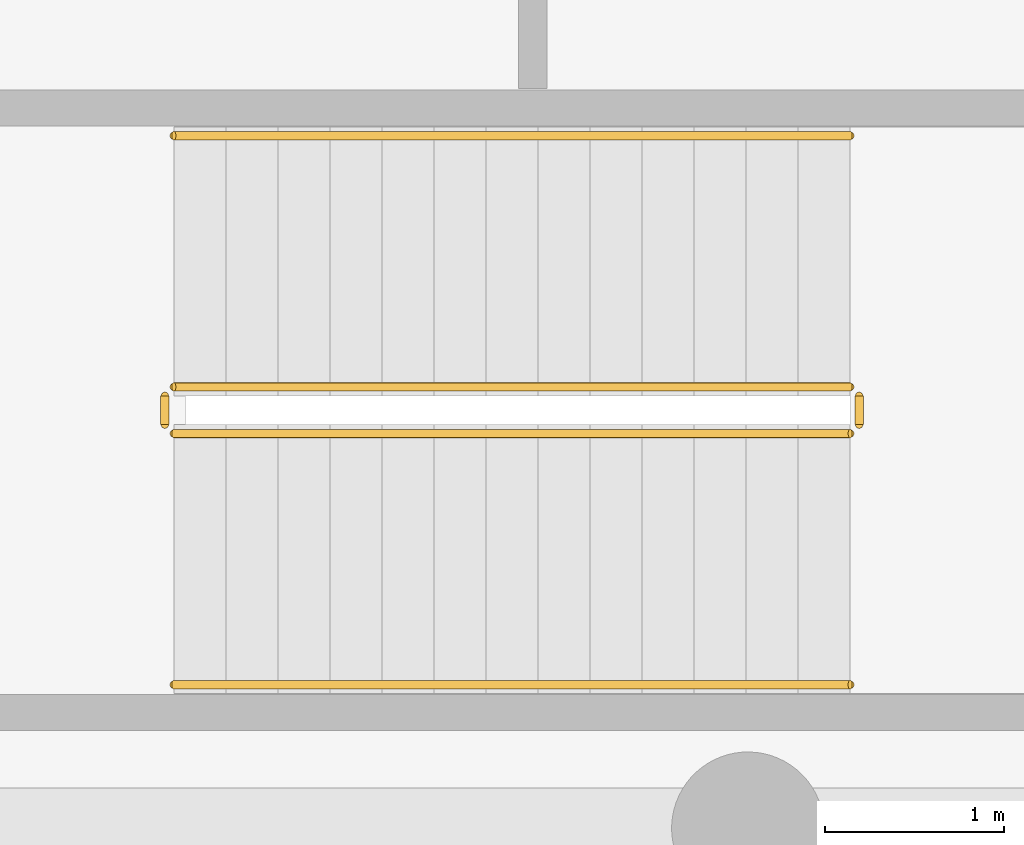
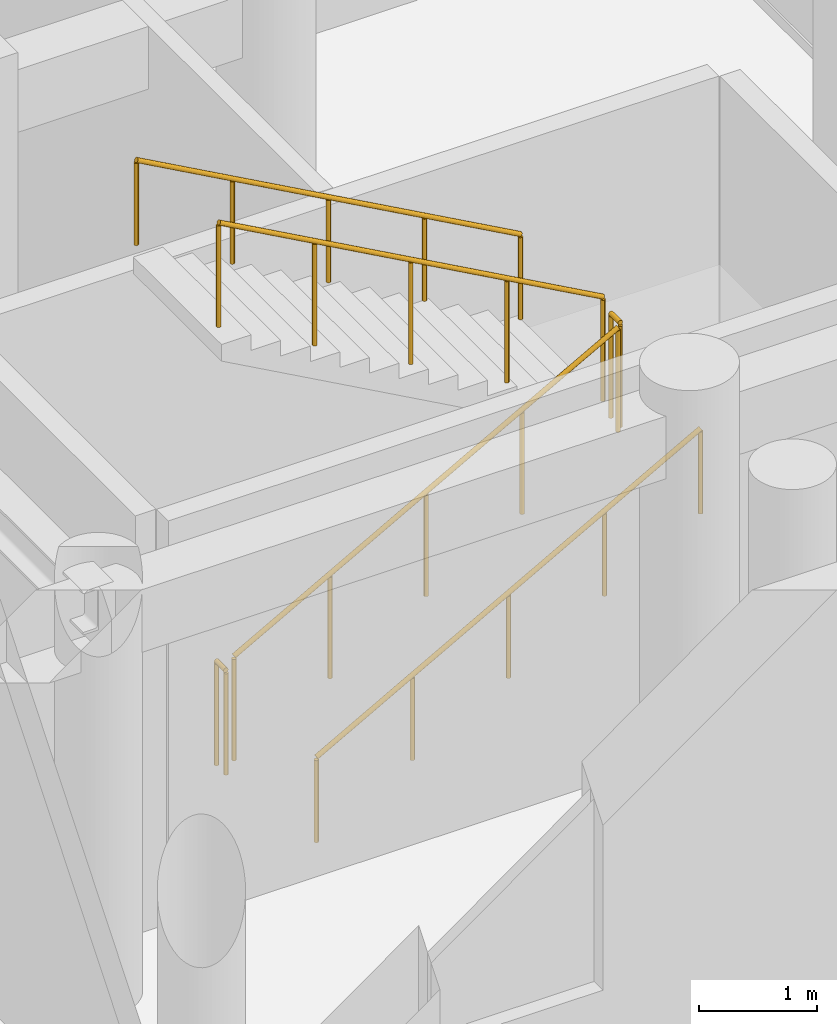
# One storey, part 28 of 30: 6 railings.
"""IFC4 building model written with IfcOpenShell, lengths in metres."""

from ifc_helpers import new_model, si_unit, direction, frame, origin, origin_2d, place, context, subcontext, project, spatial, circle, extrude, material, layer, layer_set, type_object, element, save


model = new_model("IFC4")

# Units and contexts
model_context = context("Model", 3, precision=1e-05, world=origin(), true_north=direction((0.0, 1.0)))
body_context = subcontext(model_context, "Body", "Model", "MODEL_VIEW")
ifc_project = project(units=[si_unit("LENGTHUNIT", "METRE"), si_unit("AREAUNIT", "SQUARE_METRE"), si_unit("VOLUMEUNIT", "CUBIC_METRE"), si_unit("PLANEANGLEUNIT", "RADIAN"), si_unit("MASSUNIT", "GRAM", prefix="KILO")], contexts=[model_context])

# Site, building, storey
site_placement = place(None, origin())
site = spatial("IfcSite", under=ifc_project, at=site_placement, CompositionType="ELEMENT")
building_placement = place(site_placement, origin())
building = spatial("IfcBuilding", under=site, at=building_placement, Name="Karkom Vertical University and Central Library", CompositionType="ELEMENT")
storey_placement = place(building_placement, origin())
storey = spatial("IfcBuildingStorey", under=building, at=storey_placement, Name="L00", CompositionType="ELEMENT", Elevation=0.0)

# Railings
ifc_material_1 = material(Name="Painted galvanised steel balustrade", Category="steel")
ifc_layer_1 = layer(ifc_material_1, 0.06005859375)
ifc_layer_set_1 = layer_set([ifc_layer_1], Name="Painted galvanised steel balustrade")
railing_type_1 = type_object("IfcRailingType", Name="INT-RL-GUARD1100", PredefinedType="GUARDRAIL", material=ifc_layer_set_1)
railing_1_placement = place(storey_placement, frame((72.199951171875, 7.0, 0.16064453125)))
element("IfcRailing", 1, at=railing_1_placement, inside=storey, type_object=railing_type_1, Name="Level 00 LIB-ST1 stair guard 1", PredefinedType="GUARDRAIL", context=body_context, shape_type="SweptSolid", body=[
    extrude(circle(Radius=0.02392578125, at=origin_2d()), frame((0.0, 0.0, 1.076171875), z_axis=(0.874659101714, 0.0, 0.484738543742), x_axis=(0.0, 1.0, 0.0)), (0.0, 0.0, 1.0), 4.310302734375),
    extrude(circle(Radius=0.02099609375, at=origin_2d()), origin(), (0.0, 0.0, 1.0), 1.052001953125),
    extrude(circle(Radius=0.02099609375, at=origin_2d()), frame((0.9423828125, 0.0, 0.5224609375)), (0.0, 0.0, 1.0), 1.052001953125),
    extrude(circle(Radius=0.02099609375, at=origin_2d()), frame((1.885009765625, 0.0, 1.044677734375)), (0.0, 0.0, 1.0), 1.052001953125),
    extrude(circle(Radius=0.02099609375, at=origin_2d()), frame((2.82763671875, 0.0, 1.56689453125)), (0.0, 0.0, 1.0), 1.052001953125),
    extrude(circle(Radius=0.02099609375, at=origin_2d()), frame((3.77001953125, 0.0, 2.08935546875)), (0.0, 0.0, 1.0), 1.052001953125),
])
railing_2_placement = place(storey_placement, frame((76.02001953125, 7.050048828125, 2.25)))
element("IfcRailing", 2, at=railing_2_placement, inside=storey, type_object=railing_type_1, Name="Level 00 LIB-ST1 stair guard 2", PredefinedType="GUARDRAIL", context=body_context, shape_type="SweptSolid", body=[
    extrude(circle(Radius=0.02392578125, at=origin_2d()), frame((0.0, 0.0, 1.076171875), z_axis=(0.0, 1.0, 0.0), x_axis=(-1.0, 0.0, 0.0)), (0.0, 0.0, 1.0), 0.159912109375),
    extrude(circle(Radius=0.02099609375, at=origin_2d()), origin(), (0.0, 0.0, 1.0), 1.052001953125),
    extrude(circle(Radius=0.02099609375, at=origin_2d()), frame((0.0, 0.159912109375, 0.0)), (0.0, 0.0, 1.0), 1.052001953125),
])
railing_3_placement = place(storey_placement, frame((75.969970703125, 7.260009765625, 2.41064453125)))
element("IfcRailing", 3, at=railing_3_placement, inside=storey, type_object=railing_type_1, Name="Level 00 LIB-ST1 stair guard 3", PredefinedType="GUARDRAIL", context=body_context, shape_type="SweptSolid", body=[
    extrude(circle(Radius=0.02392578125, at=origin_2d()), frame((0.0, 0.0, 1.076171875), z_axis=(-0.874659101714, 0.0, 0.484738543742), x_axis=(0.0, -1.0, 0.0)), (0.0, 0.0, 1.0), 4.310302734375),
    extrude(circle(Radius=0.02099609375, at=origin_2d()), origin(), (0.0, 0.0, 1.0), 1.052001953125),
    extrude(circle(Radius=0.02099609375, at=origin_2d()), frame((-0.9423828125, 0.0, 0.5224609375)), (0.0, 0.0, 1.0), 1.052001953125),
    extrude(circle(Radius=0.02099609375, at=origin_2d()), frame((-1.885009765625, 0.0, 1.044677734375)), (0.0, 0.0, 1.0), 1.052001953125),
    extrude(circle(Radius=0.02099609375, at=origin_2d()), frame((-2.82763671875, 0.0, 1.56689453125)), (0.0, 0.0, 1.0), 1.052001953125),
    extrude(circle(Radius=0.02099609375, at=origin_2d()), frame((-3.77001953125, 0.0, 2.08935546875)), (0.0, 0.0, 1.0), 1.052001953125),
])
railing_4_placement = place(storey_placement, frame((72.14990234375, 7.050048828125, 0.0)))
element("IfcRailing", 4, at=railing_4_placement, inside=storey, type_object=railing_type_1, Name="Level 00 LIB-ST1 stair guard 4", PredefinedType="GUARDRAIL", context=body_context, shape_type="SweptSolid", body=[
    extrude(circle(Radius=0.02392578125, at=origin_2d()), frame((0.0, 0.0, 1.076171875), z_axis=(0.0, 1.0, 0.0), x_axis=(-1.0, 0.0, 0.0)), (0.0, 0.0, 1.0), 0.159912109375),
    extrude(circle(Radius=0.02099609375, at=origin_2d()), origin(), (0.0, 0.0, 1.0), 1.052001953125),
    extrude(circle(Radius=0.02099609375, at=origin_2d()), frame((0.0, 0.159912109375, 0.0)), (0.0, 0.0, 1.0), 1.052001953125),
])
ifc_material_2 = material(Name="Brushed stainless-steel tubular handrail", Category="steel")
ifc_layer_2 = layer(ifc_material_2, 0.048095703125)
ifc_layer_set_2 = layer_set([ifc_layer_2], Name="Brushed stainless-steel tubular handrail")
railing_type_2 = type_object("IfcRailingType", Name="INT-RL-HAND920", PredefinedType="HANDRAIL", material=ifc_layer_set_2)
railing_5_placement = place(storey_placement, frame((72.199951171875, 5.60009765625, 0.16064453125)))
element("IfcRailing", 5, at=railing_5_placement, inside=storey, type_object=railing_type_2, Name="Level 00 LIB-ST1 stair handrail 1", PredefinedType="HANDRAIL", context=body_context, shape_type="SweptSolid", body=[
    extrude(circle(Radius=0.02392578125, at=origin_2d()), frame((0.0, 0.0, 0.8759765625), z_axis=(0.874659101714, 0.0, 0.484738543742), x_axis=(0.0, 1.0, 0.0)), (0.0, 0.0, 1.0), 4.310302734375),
    extrude(circle(Radius=0.02099609375, at=origin_2d()), origin(), (0.0, 0.0, 1.0), 0.851806640625),
    extrude(circle(Radius=0.02099609375, at=origin_2d()), frame((0.9423828125, 0.0, 0.5224609375)), (0.0, 0.0, 1.0), 0.851806640625),
    extrude(circle(Radius=0.02099609375, at=origin_2d()), frame((1.885009765625, 0.0, 1.044677734375)), (0.0, 0.0, 1.0), 0.851806640625),
    extrude(circle(Radius=0.02099609375, at=origin_2d()), frame((2.82763671875, 0.0, 1.56689453125)), (0.0, 0.0, 1.0), 0.851806640625),
    extrude(circle(Radius=0.02099609375, at=origin_2d()), frame((3.77001953125, 0.0, 2.08935546875)), (0.0, 0.0, 1.0), 0.851806640625),
])
railing_6_placement = place(storey_placement, frame((75.969970703125, 8.659912109375, 2.41064453125)))
element("IfcRailing", 6, at=railing_6_placement, inside=storey, type_object=railing_type_2, Name="Level 00 LIB-ST1 stair handrail 2", PredefinedType="HANDRAIL", context=body_context, shape_type="SweptSolid", body=[
    extrude(circle(Radius=0.02392578125, at=origin_2d()), frame((0.0, 0.0, 0.8759765625), z_axis=(-0.874659101714, 0.0, 0.484738543742), x_axis=(0.0, -1.0, 0.0)), (0.0, 0.0, 1.0), 4.310302734375),
    extrude(circle(Radius=0.02099609375, at=origin_2d()), origin(), (0.0, 0.0, 1.0), 0.851806640625),
    extrude(circle(Radius=0.02099609375, at=origin_2d()), frame((-0.9423828125, 0.0, 0.5224609375)), (0.0, 0.0, 1.0), 0.851806640625),
    extrude(circle(Radius=0.02099609375, at=origin_2d()), frame((-1.885009765625, 0.0, 1.044677734375)), (0.0, 0.0, 1.0), 0.851806640625),
    extrude(circle(Radius=0.02099609375, at=origin_2d()), frame((-2.82763671875, 0.0, 1.56689453125)), (0.0, 0.0, 1.0), 0.851806640625),
    extrude(circle(Radius=0.02099609375, at=origin_2d()), frame((-3.77001953125, 0.0, 2.08935546875)), (0.0, 0.0, 1.0), 0.851806640625),
])

save(model, "model.ifc")
